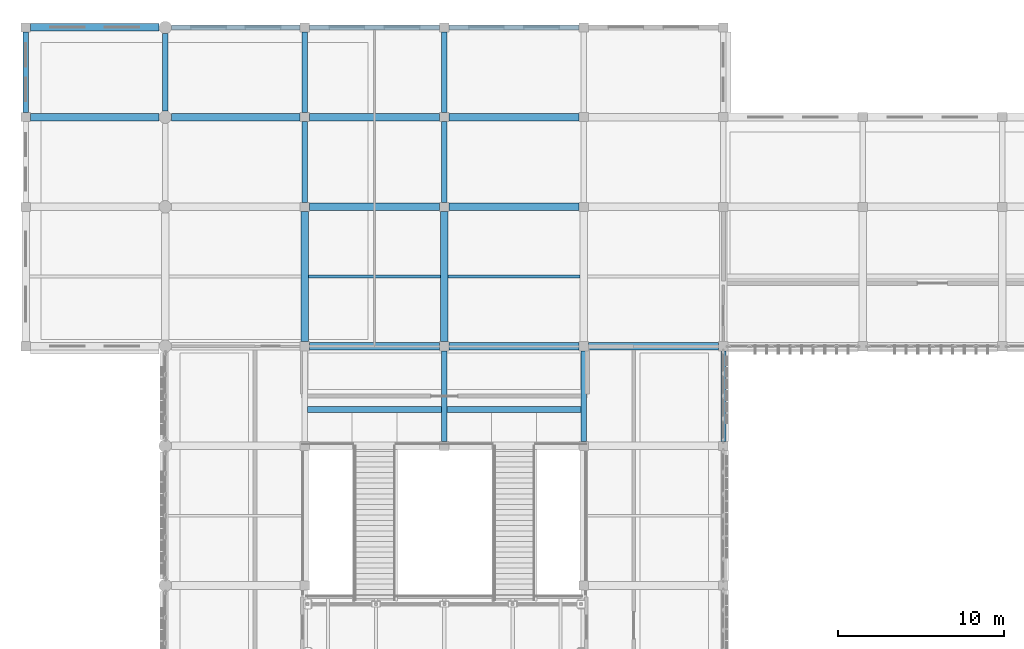
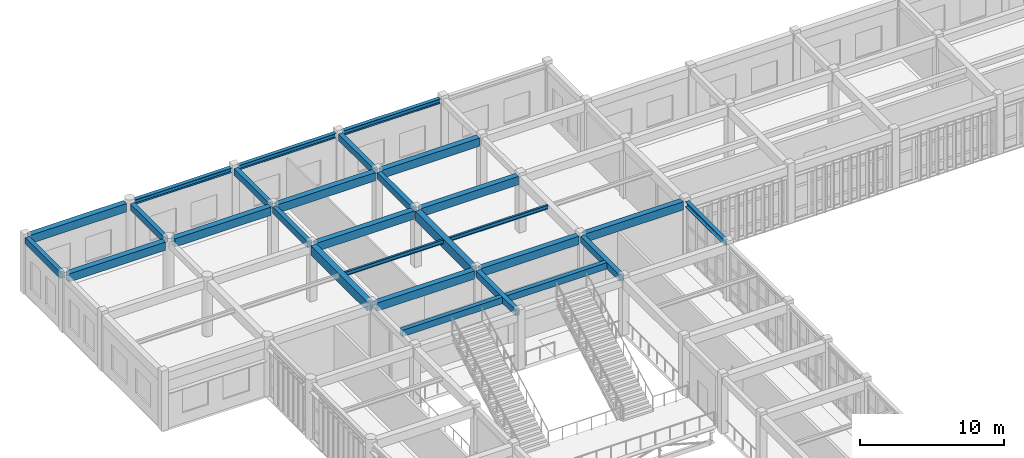
# One storey, part 38 of 106: 28 beams.
"""IFC4 building model written with IfcOpenShell, lengths in metres."""

from ifc_helpers import new_model, si_unit, direction, frame, origin, origin_2d, place, context, subcontext, project, spatial, rectangle, i_section, extrude, material, material_profile, profile_set, type_object, element, save


model = new_model("IFC4")

# Units and contexts
model_context = context("Model", 3, precision=1e-05, world=origin(), true_north=direction((0.0, 1.0)))
body_context = subcontext(model_context, "Body", "Model", "MODEL_VIEW")
ifc_project = project(units=[si_unit("LENGTHUNIT", "METRE"), si_unit("AREAUNIT", "SQUARE_METRE"), si_unit("VOLUMEUNIT", "CUBIC_METRE"), si_unit("PLANEANGLEUNIT", "RADIAN"), si_unit("MASSUNIT", "GRAM", prefix="KILO")], contexts=[model_context])

# Site, building, storey
site_placement = place(None, origin())
site = spatial("IfcSite", under=ifc_project, at=site_placement, CompositionType="ELEMENT")
building_placement = place(site_placement, origin())
building = spatial("IfcBuilding", under=site, at=building_placement, Name="Krzemoval Escarpment Law Courts", CompositionType="ELEMENT")
storey_placement = place(building_placement, frame((0.0, 0.0, 5.10009765625)))
storey = spatial("IfcBuildingStorey", under=building, at=storey_placement, Name="L01", CompositionType="ELEMENT", Elevation=5.10009765625)

# Beams
ifc_material_1 = material(Name="Concrete C40/50", Category="concrete")
ifc_material_profile_1 = material_profile(ifc_material_1, rectangle(XDim=0.35009765625, YDim=0.550048828125, at=origin_2d()), Name="RCB 350x550")
ifc_profile_set_1 = profile_set([ifc_material_profile_1], Name="Concrete C40/50")
beam_type_1 = type_object("IfcBeamType", Name="BM-RC-350x550", PredefinedType="BEAM", material=ifc_profile_set_1)
beam_1_placement = place(storey_placement, frame((0.0, 113.675048828125, 4.544921875), z_axis=(0.0, 1.0, 0.0), x_axis=(-1.0, 0.0, 0.0)))
element("IfcBeam", 1, at=beam_1_placement, inside=storey, type_object=beam_type_1, Name="Beam FG-L01-1377", PredefinedType="BEAM", context=body_context, shape_type="SweptSolid", body=[
    extrude(rectangle(XDim=0.35009765625, YDim=0.550048828125, at=origin_2d()), origin(), (0.0, 0.0, 1.0), 4.849853515625),
])
beam_2_placement = place(storey_placement, frame((8.39990234375, 113.77490234375, 4.544921875), z_axis=(0.0, 1.0, 0.0), x_axis=(-1.0, 0.0, 0.0)))
element("IfcBeam", 2, at=beam_2_placement, inside=storey, type_object=beam_type_1, Name="Beam FG-L01-1393", PredefinedType="BEAM", context=body_context, shape_type="SweptSolid", body=[
    extrude(rectangle(XDim=0.35009765625, YDim=0.550048828125, at=origin_2d()), origin(), (0.0, 0.0, 1.0), 4.650146484375),
])
beam_3_placement = place(storey_placement, frame((16.800048828125, 108.27490234375, 4.544921875), z_axis=(0.0, 1.0, 0.0), x_axis=(-1.0, 0.0, 0.0)))
element("IfcBeam", 3, at=beam_3_placement, inside=storey, type_object=beam_type_1, Name="Beam FG-L01-1408", PredefinedType="BEAM", context=body_context, shape_type="SweptSolid", body=[
    extrude(rectangle(XDim=0.35009765625, YDim=0.550048828125, at=origin_2d()), origin(), (0.0, 0.0, 1.0), 4.85009765625),
])
beam_4_placement = place(storey_placement, frame((16.800048828125, 113.675048828125, 4.544921875), z_axis=(0.0, 1.0, 0.0), x_axis=(-1.0, 0.0, 0.0)))
element("IfcBeam", 4, at=beam_4_placement, inside=storey, type_object=beam_type_1, Name="Beam FG-L01-1409", PredefinedType="BEAM", context=body_context, shape_type="SweptSolid", body=[
    extrude(rectangle(XDim=0.35009765625, YDim=0.550048828125, at=origin_2d()), origin(), (0.0, 0.0, 1.0), 4.849853515625),
])
beam_5_placement = place(storey_placement, frame((25.199951171875, 93.875, 4.544921875), z_axis=(0.0, 1.0, 0.0), x_axis=(-1.0, 0.0, 0.0)))
element("IfcBeam", 5, at=beam_5_placement, inside=storey, type_object=beam_type_1, Name="Beam FG-L01-1416", PredefinedType="BEAM", context=body_context, shape_type="SweptSolid", body=[
    extrude(rectangle(XDim=0.35009765625, YDim=0.550048828125, at=origin_2d()), origin(), (0.0, 0.0, 1.0), 5.449951171875),
])
beam_6_placement = place(storey_placement, frame((25.199951171875, 108.27490234375, 4.544921875), z_axis=(0.0, 1.0, 0.0), x_axis=(-1.0, 0.0, 0.0)))
element("IfcBeam", 6, at=beam_6_placement, inside=storey, type_object=beam_type_1, Name="Beam FG-L01-1418", PredefinedType="BEAM", context=body_context, shape_type="SweptSolid", body=[
    extrude(rectangle(XDim=0.35009765625, YDim=0.550048828125, at=origin_2d()), origin(), (0.0, 0.0, 1.0), 4.85009765625),
])
beam_7_placement = place(storey_placement, frame((25.199951171875, 113.675048828125, 4.544921875), z_axis=(0.0, 1.0, 0.0), x_axis=(-1.0, 0.0, 0.0)))
element("IfcBeam", 7, at=beam_7_placement, inside=storey, type_object=beam_type_1, Name="Beam FG-L01-1419", PredefinedType="BEAM", context=body_context, shape_type="SweptSolid", body=[
    extrude(rectangle(XDim=0.35009765625, YDim=0.550048828125, at=origin_2d()), origin(), (0.0, 0.0, 1.0), 4.849853515625),
])
beam_8_placement = place(storey_placement, frame((33.60009765625, 93.875, 4.544921875), z_axis=(0.0, 1.0, 0.0), x_axis=(-1.0, 0.0, 0.0)))
element("IfcBeam", 8, at=beam_8_placement, inside=storey, type_object=beam_type_1, Name="Beam FG-L01-1432", PredefinedType="BEAM", context=body_context, shape_type="SweptSolid", body=[
    extrude(rectangle(XDim=0.35009765625, YDim=0.550048828125, at=origin_2d()), origin(), (0.0, 0.0, 1.0), 5.449951171875),
])
beam_9_placement = place(storey_placement, frame((16.97509765625, 95.800048828125, 4.544921875), z_axis=(1.0, 0.0, 0.0), x_axis=(0.0, 1.0, 0.0)))
element("IfcBeam", 9, at=beam_9_placement, inside=storey, type_object=beam_type_1, Name="Beam FGT-L01-009", PredefinedType="BEAM", context=body_context, shape_type="SweptSolid", body=[
    extrude(rectangle(XDim=0.35009765625, YDim=0.550048828125, at=origin_2d()), origin(), (0.0, 0.0, 1.0), 8.0498046875),
])
beam_10_placement = place(storey_placement, frame((25.375, 95.800048828125, 4.544921875), z_axis=(1.0, 0.0, 0.0), x_axis=(0.0, 1.0, 0.0)))
element("IfcBeam", 10, at=beam_10_placement, inside=storey, type_object=beam_type_1, Name="Beam FGT-L01-010", PredefinedType="BEAM", context=body_context, shape_type="SweptSolid", body=[
    extrude(rectangle(XDim=0.35009765625, YDim=0.550048828125, at=origin_2d()), origin(), (0.0, 0.0, 1.0), 8.050048828125),
])
ifc_material_2 = material(Name="Concrete C40/50", Category="concrete")
ifc_material_profile_2 = material_profile(ifc_material_2, rectangle(XDim=0.449951171875, YDim=0.699951171875, at=origin_2d()), Name="RCB 450x700")
ifc_profile_set_2 = profile_set([ifc_material_profile_2], Name="Concrete C40/50")
beam_type_2 = type_object("IfcBeamType", Name="BM-RC-450x700", PredefinedType="BEAM", material=ifc_profile_set_2)
beam_11_placement = place(storey_placement, frame((17.074951171875, 99.60009765625, 4.469970703125), z_axis=(1.0, 0.0, 0.0), x_axis=(0.0, 1.0, 0.0)))
element("IfcBeam", 11, at=beam_11_placement, inside=storey, type_object=beam_type_2, Name="Beam FG-L01-1301", PredefinedType="BEAM", context=body_context, shape_type="SweptSolid", body=[
    extrude(rectangle(XDim=0.449951171875, YDim=0.699951171875, at=origin_2d()), origin(), (0.0, 0.0, 1.0), 7.85009765625),
])
beam_12_placement = place(storey_placement, frame((25.47509765625, 99.60009765625, 4.469970703125), z_axis=(1.0, 0.0, 0.0), x_axis=(0.0, 1.0, 0.0)))
element("IfcBeam", 12, at=beam_12_placement, inside=storey, type_object=beam_type_2, Name="Beam FG-L01-1302", PredefinedType="BEAM", context=body_context, shape_type="SweptSolid", body=[
    extrude(rectangle(XDim=0.449951171875, YDim=0.699951171875, at=origin_2d()), origin(), (0.0, 0.0, 1.0), 7.849853515625),
])
for number, where, z_axis, x_axis, name in (
    (13, (33.875, 99.60009765625, 4.469970703125), (1.0, 0.0, 0.0), (0.0, 1.0, 0.0), "Beam FG-L01-1303"),
    (14, (17.074951171875, 108.0, 4.469970703125), (1.0, 0.0, 0.0), (0.0, 1.0, 0.0), "Beam FG-L01-1320"),
):
    element("IfcBeam", number, at=place(storey_placement, frame(where, z_axis=z_axis, x_axis=x_axis)), inside=storey, type_object=beam_type_2, Name=name, PredefinedType="BEAM", context=body_context, shape_type="SweptSolid", body=[
        extrude(rectangle(XDim=0.449951171875, YDim=0.699951171875, at=origin_2d()), origin(), (0.0, 0.0, 1.0), 7.85009765625),
    ])
beam_13_placement = place(storey_placement, frame((25.47509765625, 108.0, 4.469970703125), z_axis=(1.0, 0.0, 0.0), x_axis=(0.0, 1.0, 0.0)))
element("IfcBeam", 15, at=beam_13_placement, inside=storey, type_object=beam_type_2, Name="Beam FG-L01-1321", PredefinedType="BEAM", context=body_context, shape_type="SweptSolid", body=[
    extrude(rectangle(XDim=0.449951171875, YDim=0.699951171875, at=origin_2d()), origin(), (0.0, 0.0, 1.0), 7.849853515625),
])
for number, where, z_axis, x_axis, name in (
    (16, (0.27490234375, 113.39990234375, 4.469970703125), (1.0, 0.0, 0.0), (0.0, 1.0, 0.0), "Beam FG-L01-1337"),
    (17, (8.77490234375, 113.39990234375, 4.469970703125), (1.0, 0.0, 0.0), (0.0, 1.0, 0.0), "Beam FG-L01-1338"),
):
    element("IfcBeam", number, at=place(storey_placement, frame(where, z_axis=z_axis, x_axis=x_axis)), inside=storey, type_object=beam_type_2, Name=name, PredefinedType="BEAM", context=body_context, shape_type="SweptSolid", body=[
        extrude(rectangle(XDim=0.449951171875, YDim=0.699951171875, at=origin_2d()), origin(), (0.0, 0.0, 1.0), 7.75),
    ])
beam_14_placement = place(storey_placement, frame((17.074951171875, 113.39990234375, 4.469970703125), z_axis=(1.0, 0.0, 0.0), x_axis=(0.0, 1.0, 0.0)))
element("IfcBeam", 18, at=beam_14_placement, inside=storey, type_object=beam_type_2, Name="Beam FG-L01-1339", PredefinedType="BEAM", context=body_context, shape_type="SweptSolid", body=[
    extrude(rectangle(XDim=0.449951171875, YDim=0.699951171875, at=origin_2d()), origin(), (0.0, 0.0, 1.0), 7.85009765625),
])
beam_15_placement = place(storey_placement, frame((25.47509765625, 113.39990234375, 4.469970703125), z_axis=(1.0, 0.0, 0.0), x_axis=(0.0, 1.0, 0.0)))
element("IfcBeam", 19, at=beam_15_placement, inside=storey, type_object=beam_type_2, Name="Beam FG-L01-1340", PredefinedType="BEAM", context=body_context, shape_type="SweptSolid", body=[
    extrude(rectangle(XDim=0.449951171875, YDim=0.699951171875, at=origin_2d()), origin(), (0.0, 0.0, 1.0), 7.849853515625),
])
beam_16_placement = place(storey_placement, frame((0.27490234375, 118.800048828125, 4.469970703125), z_axis=(1.0, 0.0, 0.0), x_axis=(0.0, 1.0, 0.0)))
element("IfcBeam", 20, at=beam_16_placement, inside=storey, type_object=beam_type_2, Name="Beam FG-L01-1359", PredefinedType="BEAM", context=body_context, shape_type="SweptSolid", body=[
    extrude(rectangle(XDim=0.449951171875, YDim=0.699951171875, at=origin_2d()), origin(), (0.0, 0.0, 1.0), 7.75),
])
ifc_material_3 = material(Name="Concrete C40/50", Category="concrete")
ifc_material_profile_3 = material_profile(ifc_material_3, rectangle(XDim=0.449951171875, YDim=0.800048828125, at=origin_2d()), Name="RCB 450x800")
ifc_profile_set_3 = profile_set([ifc_material_profile_3], Name="Concrete C40/50")
beam_type_3 = type_object("IfcBeamType", Name="BM-RC-450x800", PredefinedType="BEAM", material=ifc_profile_set_3)
for number, where, z_axis, x_axis, name in (
    (21, (16.800048828125, 99.875, 4.419921875), (0.0, 1.0, 0.0), (-1.0, 0.0, 0.0), "Beam FG-L01-1407"),
    (22, (25.199951171875, 99.875, 4.419921875), (0.0, 1.0, 0.0), (-1.0, 0.0, 0.0), "Beam FG-L01-1417"),
):
    element("IfcBeam", number, at=place(storey_placement, frame(where, z_axis=z_axis, x_axis=x_axis)), inside=storey, type_object=beam_type_3, Name=name, PredefinedType="BEAM", context=body_context, shape_type="SweptSolid", body=[
        extrude(rectangle(XDim=0.449951171875, YDim=0.800048828125, at=origin_2d()), origin(), (0.0, 0.0, 1.0), 7.85009765625),
    ])
ifc_material_4 = material(Name="Steel S355", Category="steel")
ifc_material_profile_4 = material_profile(ifc_material_4, i_section(OverallWidth=0.159912109375, OverallDepth=0.330078125, WebThickness=0.007568359375, FlangeThickness=0.011474609375, at=origin_2d()), Name="IPE 330")
ifc_profile_set_4 = profile_set([ifc_material_profile_4], Name="Steel S355")
beam_type_4 = type_object("IfcBeamType", Name="JST-S355-IPE330", PredefinedType="JOIST", material=ifc_profile_set_4)
beam_17_placement = place(storey_placement, frame((17.02490234375, 103.800048828125, 4.65478515625), z_axis=(1.0, 0.0, 0.0), x_axis=(0.0, 1.0, 0.0)))
element("IfcBeam", 23, at=beam_17_placement, inside=storey, type_object=beam_type_4, Name="Secondary Joist FJ-L01-1616", PredefinedType="JOIST", context=body_context, shape_type="SweptSolid", body=[
    extrude(i_section(OverallWidth=0.159912109375, OverallDepth=0.330078125, WebThickness=0.007568359375, FlangeThickness=0.011474609375, at=origin_2d()), origin(), (0.0, 0.0, 1.0), 7.9501953125),
])
beam_18_placement = place(storey_placement, frame((25.425048828125, 103.800048828125, 4.65478515625), z_axis=(1.0, 0.0, 0.0), x_axis=(0.0, 1.0, 0.0)))
element("IfcBeam", 24, at=beam_18_placement, inside=storey, type_object=beam_type_4, Name="Secondary Joist FJ-L01-1621", PredefinedType="JOIST", context=body_context, shape_type="SweptSolid", body=[
    extrude(i_section(OverallWidth=0.159912109375, OverallDepth=0.330078125, WebThickness=0.007568359375, FlangeThickness=0.011474609375, at=origin_2d()), origin(), (0.0, 0.0, 1.0), 7.949951171875),
])
ifc_material_5 = material(Name="Steel S355", Category="steel")
ifc_material_profile_5 = material_profile(ifc_material_5, i_section(OverallWidth=0.300048828125, OverallDepth=0.389892578125, WebThickness=0.010986328125, FlangeThickness=0.01904296875, at=origin_2d()), Name="HEA 400")
ifc_profile_set_5 = profile_set([ifc_material_profile_5], Name="Steel S355")
beam_type_5 = type_object("IfcBeamType", Name="SPN-S355-HEA400", PredefinedType="SPANDREL", material=ifc_profile_set_5)
beam_19_placement = place(storey_placement, frame((8.77490234375, 118.800048828125, 4.625), z_axis=(1.0, 0.0, 0.0), x_axis=(0.0, 1.0, 0.0)))
element("IfcBeam", 25, at=beam_19_placement, inside=storey, type_object=beam_type_5, Name="Beam FG-L01-1360", PredefinedType="SPANDREL", context=body_context, shape_type="SweptSolid", body=[
    extrude(i_section(OverallWidth=0.300048828125, OverallDepth=0.389892578125, WebThickness=0.010986328125, FlangeThickness=0.01904296875, at=origin_2d()), origin(), (0.0, 0.0, 1.0), 7.75),
])
beam_20_placement = place(storey_placement, frame((17.074951171875, 118.800048828125, 4.625), z_axis=(1.0, 0.0, 0.0), x_axis=(0.0, 1.0, 0.0)))
element("IfcBeam", 26, at=beam_20_placement, inside=storey, type_object=beam_type_5, Name="Beam FG-L01-1361", PredefinedType="SPANDREL", context=body_context, shape_type="SweptSolid", body=[
    extrude(i_section(OverallWidth=0.300048828125, OverallDepth=0.389892578125, WebThickness=0.010986328125, FlangeThickness=0.01904296875, at=origin_2d()), origin(), (0.0, 0.0, 1.0), 7.85009765625),
])
beam_21_placement = place(storey_placement, frame((25.47509765625, 118.800048828125, 4.625), z_axis=(1.0, 0.0, 0.0), x_axis=(0.0, 1.0, 0.0)))
element("IfcBeam", 27, at=beam_21_placement, inside=storey, type_object=beam_type_5, Name="Beam FG-L01-1362", PredefinedType="SPANDREL", context=body_context, shape_type="SweptSolid", body=[
    extrude(i_section(OverallWidth=0.300048828125, OverallDepth=0.389892578125, WebThickness=0.010986328125, FlangeThickness=0.01904296875, at=origin_2d()), origin(), (0.0, 0.0, 1.0), 7.849853515625),
])
ifc_material_6 = material(Name="Steel S355", Category="steel")
ifc_material_profile_6 = material_profile(ifc_material_6, i_section(OverallWidth=0.300048828125, OverallDepth=0.449951171875, WebThickness=0.013916015625, FlangeThickness=0.02587890625, at=origin_2d()), Name="HEB 450")
ifc_profile_set_6 = profile_set([ifc_material_profile_6], Name="Steel S355")
beam_type_6 = type_object("IfcBeamType", Name="SPN-S355-HEB450", PredefinedType="SPANDREL", material=ifc_profile_set_6)
beam_22_placement = place(storey_placement, frame((42.0, 93.875, 4.594970703125), z_axis=(0.0, 1.0, 0.0), x_axis=(-1.0, 0.0, 0.0)))
element("IfcBeam", 28, at=beam_22_placement, inside=storey, type_object=beam_type_6, Name="Beam FG-L01-1448", PredefinedType="SPANDREL", context=body_context, shape_type="SweptSolid", body=[
    extrude(i_section(OverallWidth=0.300048828125, OverallDepth=0.449951171875, WebThickness=0.013916015625, FlangeThickness=0.02587890625, at=origin_2d()), origin(), (0.0, 0.0, 1.0), 5.449951171875),
])

save(model, "model.ifc")
